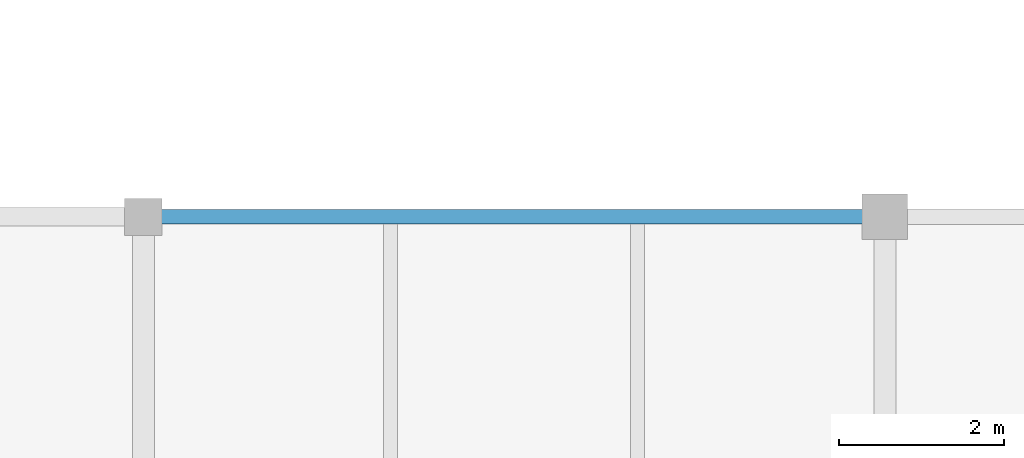
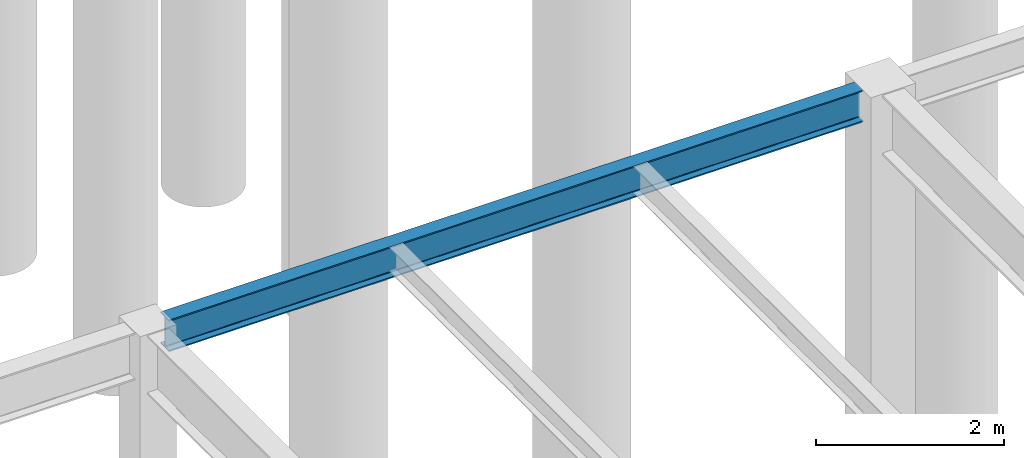
# One storey, part 78 of 203: 1 beam.
"""IFC4 building model written with IfcOpenShell, lengths in metres."""

from ifc_helpers import new_model, si_unit, direction, frame, origin, origin_2d, place, context, subcontext, project, spatial, i_section, extrude, material, material_profile, profile_set, type_object, element, save


model = new_model("IFC4")

# Units and contexts
model_context = context("Model", 3, precision=1e-05, world=origin(), true_north=direction((0.0, 1.0)))
body_context = subcontext(model_context, "Body", "Model", "MODEL_VIEW")
ifc_project = project(units=[si_unit("LENGTHUNIT", "METRE"), si_unit("AREAUNIT", "SQUARE_METRE"), si_unit("VOLUMEUNIT", "CUBIC_METRE"), si_unit("PLANEANGLEUNIT", "RADIAN"), si_unit("MASSUNIT", "GRAM", prefix="KILO"), si_unit("THERMODYNAMICTEMPERATUREUNIT", "KELVIN"), si_unit("POWERUNIT", "WATT")], contexts=[model_context])

# Site, building, storey
site_placement = place(None, origin())
site = spatial("IfcSite", under=ifc_project, at=site_placement, CompositionType="ELEMENT")
building_placement = place(site_placement, origin())
building = spatial("IfcBuilding", under=site, at=building_placement, Name="Tepalcoro Natatorium and Aquatics Centre", CompositionType="ELEMENT")
storey_placement = place(building_placement, origin())
storey = spatial("IfcBuildingStorey", under=building, at=storey_placement, Name="L00", CompositionType="ELEMENT", Elevation=0.0)

# Beam
ifc_material = material(Name="Steel ASTM A992 Grade 50 (Fy 345 MPa)", Category="steel")
ifc_material_profile = material_profile(ifc_material, i_section(OverallWidth=0.179931640625, OverallDepth=0.4130859375, WebThickness=0.010009765625, FlangeThickness=0.01611328125, FilletRadius=0.013916015625, at=origin_2d()), Name="W16X50")
ifc_profile_set = profile_set([ifc_material_profile], Name="Steel ASTM A992 Grade 50 (Fy 345 MPa)")
beam_type = type_object("IfcBeamType", Name="SP_HSS300x200x12", PredefinedType="SPANDREL", material=ifc_profile_set)
beam_placement = place(storey_placement, frame((80.2099609375, 72.0, 4.87841796875), z_axis=(1.0, 0.0, 0.0), x_axis=(0.0, 1.0, 0.0)))
element("IfcBeam", 1, at=beam_placement, inside=storey, type_object=beam_type, Name="V1 L00 Grid Girder X", PredefinedType="SPANDREL", context=body_context, shape_type="SweptSolid", body=[
    extrude(i_section(OverallWidth=0.179931640625, OverallDepth=0.4130859375, WebThickness=0.010009765625, FlangeThickness=0.01611328125, FilletRadius=0.013916015625, at=origin_2d()), origin(), (0.0, 0.0, 1.0), 8.530029296875),
])

save(model, "model.ifc")
